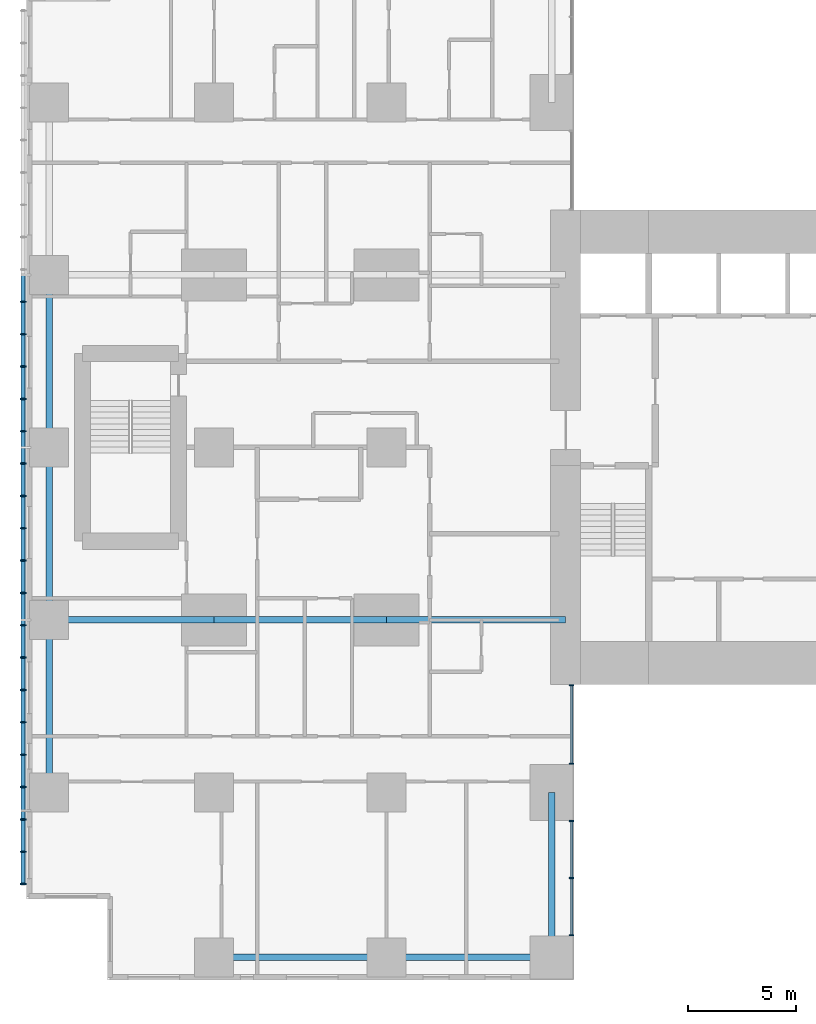
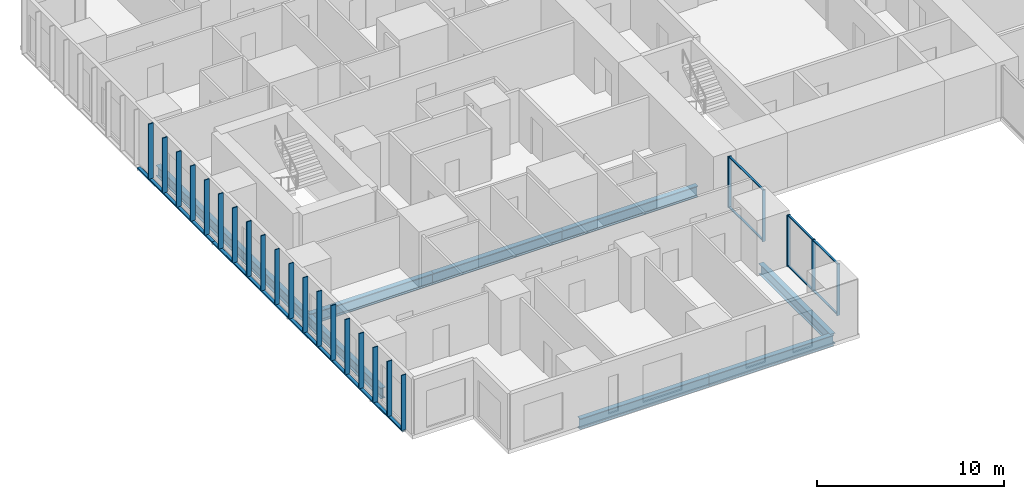
# One storey, part 2 of 20: 33 members, 9 beams, 2 elements without a shape of their own.
"""IFC4 building model written with IfcOpenShell, lengths in metres."""

from ifc_helpers import new_model, si_unit, direction, frame, origin, origin_2d, place, context, subcontext, project, spatial, rectangle, hollow_rectangle, i_section, extrude, material, layer, layer_set, material_profile, profile_set, type_object, element, aggregate, save


model = new_model("IFC4")

# Units and contexts
model_context = context("Model", 3, precision=1e-05, world=origin(), true_north=direction((0.0, 1.0)))
body_context = subcontext(model_context, "Body", "Model", "MODEL_VIEW")
ifc_project = project(units=[si_unit("LENGTHUNIT", "METRE"), si_unit("AREAUNIT", "SQUARE_METRE"), si_unit("VOLUMEUNIT", "CUBIC_METRE"), si_unit("PLANEANGLEUNIT", "RADIAN"), si_unit("MASSUNIT", "GRAM", prefix="KILO")], contexts=[model_context])

# Site, building, storey
site_placement = place(None, origin())
site = spatial("IfcSite", under=ifc_project, at=site_placement, CompositionType="ELEMENT")
building_placement = place(site_placement, origin())
building = spatial("IfcBuilding", under=site, at=building_placement, Name="Cleftline Residences", CompositionType="ELEMENT")
storey_placement = place(building_placement, frame((0.0, 0.0, 207.39990234375)))
storey = spatial("IfcBuildingStorey", under=building, at=storey_placement, Name="L54", CompositionType="ELEMENT", Elevation=207.39990234375)

# Members
ifc_material_1 = material(Name="Steel S355, hot-dip galvanised", Category="steel")
ifc_material_profile_1 = material_profile(ifc_material_1, hollow_rectangle(XDim=0.10009765625, YDim=0.199951171875, WallThickness=0.008056640625, InnerFilletRadius=0.008056640625, OuterFilletRadius=0.011962890625, at=origin_2d()))
ifc_profile_set_1 = profile_set([ifc_material_profile_1], Name="Steel S355, hot-dip galvanised")
member_type_1 = type_object("IfcMemberType", Name="BAGUETTE CARRIER RHS 200X100X8", PredefinedType="USERDEFINED", material=ifc_profile_set_1)
for number, where, z_axis, x_axis, name in (
    (1, (-0.85009765625, 32.0, -0.0498046875), (0.0, -1.0, 0.0), (0.0, 0.0, 1.0), "Baguette carrier"),
    (2, (-0.85009765625, 24.0, -0.0498046875), (0.0, -1.0, 0.0), (0.0, 0.0, 1.0), "Baguette carrier"),
):
    element("IfcMember", number, at=place(storey_placement, frame(where, z_axis=z_axis, x_axis=x_axis)), inside=storey, type_object=member_type_1, Name=name, ObjectType="BAGUETTE CARRIER", PredefinedType="USERDEFINED", context=body_context, shape_type="SweptSolid", body=[
        extrude(hollow_rectangle(XDim=0.10009765625, YDim=0.199951171875, WallThickness=0.008056640625, InnerFilletRadius=0.008056640625, OuterFilletRadius=0.011962890625, at=origin_2d()), origin(), (0.0, 0.0, 1.0), 8.0),
    ])
member_1_placement = place(storey_placement, frame((-0.85009765625, 16.0, -0.0498046875), z_axis=(0.0, -1.0, 0.0), x_axis=(0.0, 0.0, 1.0)))
element("IfcMember", 3, at=member_1_placement, inside=storey, type_object=member_type_1, Name="Baguette carrier", ObjectType="BAGUETTE CARRIER", PredefinedType="USERDEFINED", context=body_context, shape_type="SweptSolid", body=[
    extrude(hollow_rectangle(XDim=0.10009765625, YDim=0.199951171875, WallThickness=0.008056640625, InnerFilletRadius=0.008056640625, OuterFilletRadius=0.011962890625, at=origin_2d()), origin(), (0.0, 0.0, 1.0), 12.300048828125),
])

# Beams
ifc_material_2 = material(Name="Steel S355", Category="steel")
ifc_material_profile_2 = material_profile(ifc_material_2, i_section(OverallWidth=0.300048828125, OverallDepth=0.699951171875, WebThickness=0.01708984375, FlangeThickness=0.031982421875, FilletRadius=0.027099609375, at=origin_2d()))
ifc_profile_set_2 = profile_set([ifc_material_profile_2], Name="Steel S355")
beam_type_1 = type_object("IfcBeamType", Name="BEAM HEB 700", PredefinedType="BEAM", material=ifc_profile_set_2)
for number, where, z_axis, x_axis, name in (
    (4, (0.35009765625, 8.0, -0.599853515625), (0.0, 1.0, 0.0), (-1.0, 0.0, 0.0), "Edge beam"),
    (5, (0.35009765625, 16.0, -0.599853515625), (0.0, 1.0, 0.0), (-1.0, 0.0, 0.0), "Edge beam"),
    (6, (0.35009765625, 24.0, -0.599853515625), (0.0, 1.0, 0.0), (-1.0, 0.0, 0.0), "Edge beam"),
    (7, (8.0, 0.35009765625, -0.599853515625), (1.0, 0.0, 0.0), (0.0, 1.0, 0.0), "Edge beam"),
):
    element("IfcBeam", number, at=place(storey_placement, frame(where, z_axis=z_axis, x_axis=x_axis)), inside=storey, type_object=beam_type_1, Name=name, PredefinedType="BEAM", context=body_context, shape_type="SweptSolid", body=[
        extrude(i_section(OverallWidth=0.300048828125, OverallDepth=0.699951171875, WebThickness=0.01708984375, FlangeThickness=0.031982421875, FilletRadius=0.027099609375, at=origin_2d()), origin(), (0.0, 0.0, 1.0), 8.0),
    ])
for number, where, z_axis, x_axis, name in (
    (8, (16.0, 0.35009765625, -0.599853515625), (1.0, 0.0, 0.0), (0.0, 1.0, 0.0), "Edge beam"),
    (9, (23.64990234375, 0.35009765625, -0.599853515625), (0.0, 1.0, 0.0), (-1.0, 0.0, 0.0), "Edge beam"),
):
    element("IfcBeam", number, at=place(storey_placement, frame(where, z_axis=z_axis, x_axis=x_axis)), inside=storey, type_object=beam_type_1, Name=name, PredefinedType="BEAM", context=body_context, shape_type="SweptSolid", body=[
        extrude(i_section(OverallWidth=0.300048828125, OverallDepth=0.699951171875, WebThickness=0.01708984375, FlangeThickness=0.031982421875, FilletRadius=0.027099609375, at=origin_2d()), origin(), (0.0, 0.0, 1.0), 7.64990234375),
    ])
ifc_material_3 = material(Name="Steel S355", Category="steel")
ifc_material_profile_3 = material_profile(ifc_material_3, i_section(OverallWidth=0.303955078125, OverallDepth=0.716064453125, WebThickness=0.02099609375, FlangeThickness=0.0400390625, FilletRadius=0.027099609375, at=origin_2d()))
ifc_profile_set_3 = profile_set([ifc_material_profile_3], Name="Steel S355")
beam_type_2 = type_object("IfcBeamType", Name="BEAM HEM 700", PredefinedType="BEAM", material=ifc_profile_set_3)
beam_1_placement = place(storey_placement, frame((0.35009765625, 16.0, -0.60791015625), z_axis=(1.0, 0.0, 0.0), x_axis=(0.0, 1.0, 0.0)))
element("IfcBeam", 10, at=beam_1_placement, inside=storey, type_object=beam_type_2, Name="Band beam", PredefinedType="BEAM", context=body_context, shape_type="SweptSolid", body=[
    extrude(i_section(OverallWidth=0.303955078125, OverallDepth=0.716064453125, WebThickness=0.02099609375, FlangeThickness=0.0400390625, FilletRadius=0.027099609375, at=origin_2d()), origin(), (0.0, 0.0, 1.0), 7.64990234375),
])
beam_2_placement = place(storey_placement, frame((8.0, 16.0, -0.60791015625), z_axis=(1.0, 0.0, 0.0), x_axis=(0.0, 1.0, 0.0)))
element("IfcBeam", 11, at=beam_2_placement, inside=storey, type_object=beam_type_2, Name="Band beam", PredefinedType="BEAM", context=body_context, shape_type="SweptSolid", body=[
    extrude(i_section(OverallWidth=0.303955078125, OverallDepth=0.716064453125, WebThickness=0.02099609375, FlangeThickness=0.0400390625, FilletRadius=0.027099609375, at=origin_2d()), origin(), (0.0, 0.0, 1.0), 8.0),
])
beam_3_placement = place(storey_placement, frame((16.0, 16.0, -0.60791015625), z_axis=(1.0, 0.0, 0.0), x_axis=(0.0, 1.0, 0.0)))
element("IfcBeam", 12, at=beam_3_placement, inside=storey, type_object=beam_type_2, Name="Band beam", PredefinedType="BEAM", context=body_context, shape_type="SweptSolid", body=[
    extrude(i_section(OverallWidth=0.303955078125, OverallDepth=0.716064453125, WebThickness=0.02099609375, FlangeThickness=0.0400390625, FilletRadius=0.027099609375, at=origin_2d()), origin(), (0.0, 0.0, 1.0), 8.300048828125),
])

# Curtain wall, members
ifc_material_4 = material(Name="Aluminium framed curtain wall", Category="aluminium")
ifc_layer = layer(ifc_material_4, 0.199951171875)
ifc_layer_set = layer_set([ifc_layer], Name="CW1 CLEFT GLAZING")
curtain_wall_type = type_object("IfcCurtainWallType", Name="CW1 CLEFT GLAZING", PredefinedType="NOTDEFINED", material=ifc_layer_set)
curtain_wall_1_placement = place(storey_placement, origin())
curtain_wall_1 = element("IfcCurtainWall", 13, at=curtain_wall_1_placement, inside=storey, type_object=curtain_wall_type, Name="Curtain wall CW1", PredefinedType="NOTDEFINED")
ifc_material_5 = material(Name="Aluminium mullion", Category="aluminium")
ifc_material_profile_4 = material_profile(ifc_material_5, rectangle(XDim=0.199951171875, YDim=0.06005859375, at=origin_2d()))
ifc_profile_set_4 = profile_set([ifc_material_profile_4], Name="Aluminium mullion")
member_type_2 = type_object("IfcMemberType", Name="CW1 MULLION", PredefinedType="MULLION", material=ifc_profile_set_4)
member_2_placement = place(storey_placement, frame((24.574951171875, 1.3798828125, 0.0), z_axis=(0.0, 0.0, 1.0), x_axis=(-1.0, 0.0, 0.0)))
member_2 = element("IfcMember", 14, at=member_2_placement, type_object=member_type_2, Name="CW1 mullion 1", PredefinedType="MULLION", context=body_context, shape_type="SweptSolid", body=[
    extrude(rectangle(XDim=0.199951171875, YDim=0.06005859375, at=origin_2d()), origin(), (0.0, 0.0, 1.0), 3.35009765625),
])
member_3_placement = place(storey_placement, frame((24.574951171875, 4.02490234375, 0.0), z_axis=(0.0, 0.0, 1.0), x_axis=(-1.0, 0.0, 0.0)))
member_3 = element("IfcMember", 15, at=member_3_placement, type_object=member_type_2, Name="CW1 mullion 2", PredefinedType="MULLION", context=body_context, shape_type="SweptSolid", body=[
    extrude(rectangle(XDim=0.199951171875, YDim=0.06005859375, at=origin_2d()), origin(), (0.0, 0.0, 1.0), 3.35009765625),
])
member_4_placement = place(storey_placement, frame((24.574951171875, 6.669921875, 0.0), z_axis=(0.0, 0.0, 1.0), x_axis=(-1.0, 0.0, 0.0)))
member_4 = element("IfcMember", 16, at=member_4_placement, type_object=member_type_2, Name="CW1 mullion 3", PredefinedType="MULLION", context=body_context, shape_type="SweptSolid", body=[
    extrude(rectangle(XDim=0.199951171875, YDim=0.06005859375, at=origin_2d()), origin(), (0.0, 0.0, 1.0), 3.35009765625),
])

curtain_wall_2_placement = place(storey_placement, origin())
curtain_wall_2 = element("IfcCurtainWall", 17, at=curtain_wall_2_placement, inside=storey, type_object=curtain_wall_type, Name="Curtain wall CW1", PredefinedType="NOTDEFINED")
member_5_placement = place(storey_placement, frame((24.574951171875, 9.330078125, 0.0), z_axis=(0.0, 0.0, 1.0), x_axis=(-1.0, 0.0, 0.0)))
member_5 = element("IfcMember", 18, at=member_5_placement, type_object=member_type_2, Name="CW1 mullion 1", PredefinedType="MULLION", context=body_context, shape_type="SweptSolid", body=[
    extrude(rectangle(XDim=0.199951171875, YDim=0.06005859375, at=origin_2d()), origin(), (0.0, 0.0, 1.0), 3.35009765625),
])
member_6_placement = place(storey_placement, frame((24.574951171875, 12.969970703125, 0.0), z_axis=(0.0, 0.0, 1.0), x_axis=(-1.0, 0.0, 0.0)))
member_6 = element("IfcMember", 19, at=member_6_placement, type_object=member_type_2, Name="CW1 mullion 2", PredefinedType="MULLION", context=body_context, shape_type="SweptSolid", body=[
    extrude(rectangle(XDim=0.199951171875, YDim=0.06005859375, at=origin_2d()), origin(), (0.0, 0.0, 1.0), 3.35009765625),
])

# Member
ifc_material_6 = material(Name="Aluminium transom", Category="aluminium")
ifc_material_profile_5 = material_profile(ifc_material_6, rectangle(XDim=0.1201171875, YDim=0.06005859375, at=origin_2d()))
ifc_profile_set_5 = profile_set([ifc_material_profile_5], Name="Aluminium transom")
member_type_3 = type_object("IfcMemberType", Name="CW1 TRANSOM", PredefinedType="USERDEFINED", material=ifc_profile_set_5)
member_7_placement = place(storey_placement, frame((24.574951171875, 1.409912109375, 0.030029296875), z_axis=(0.0, 1.0, 0.0), x_axis=(-1.0, 0.0, 0.0)))
member_7 = element("IfcMember", 20, at=member_7_placement, type_object=member_type_3, Name="CW1 transom 1.1", ObjectType="TRANSOM", PredefinedType="USERDEFINED", context=body_context, shape_type="SweptSolid", body=[
    extrude(rectangle(XDim=0.1201171875, YDim=0.06005859375, at=origin_2d()), origin(), (0.0, 0.0, 1.0), 2.585205078125),
])

member_8_placement = place(storey_placement, frame((24.574951171875, 1.409912109375, 3.320068359375), z_axis=(0.0, 1.0, 0.0), x_axis=(-1.0, 0.0, 0.0)))
member_8 = element("IfcMember", 21, at=member_8_placement, type_object=member_type_3, Name="CW1 transom 1.2", ObjectType="TRANSOM", PredefinedType="USERDEFINED", context=body_context, shape_type="SweptSolid", body=[
    extrude(rectangle(XDim=0.1201171875, YDim=0.06005859375, at=origin_2d()), origin(), (0.0, 0.0, 1.0), 2.585205078125),
])

member_9_placement = place(storey_placement, frame((24.574951171875, 4.054931640625, 0.030029296875), z_axis=(0.0, 1.0, 0.0), x_axis=(-1.0, 0.0, 0.0)))
member_9 = element("IfcMember", 22, at=member_9_placement, type_object=member_type_3, Name="CW1 transom 2.1", ObjectType="TRANSOM", PredefinedType="USERDEFINED", context=body_context, shape_type="SweptSolid", body=[
    extrude(rectangle(XDim=0.1201171875, YDim=0.06005859375, at=origin_2d()), origin(), (0.0, 0.0, 1.0), 2.5849609375),
])

member_10_placement = place(storey_placement, frame((24.574951171875, 4.054931640625, 3.320068359375), z_axis=(0.0, 1.0, 0.0), x_axis=(-1.0, 0.0, 0.0)))
member_10 = element("IfcMember", 23, at=member_10_placement, type_object=member_type_3, Name="CW1 transom 2.2", ObjectType="TRANSOM", PredefinedType="USERDEFINED", context=body_context, shape_type="SweptSolid", body=[
    extrude(rectangle(XDim=0.1201171875, YDim=0.06005859375, at=origin_2d()), origin(), (0.0, 0.0, 1.0), 2.5849609375),
])

aggregate(curtain_wall_1, [member_2, member_3, member_4, member_7, member_8, member_9, member_10])

member_11_placement = place(storey_placement, frame((24.574951171875, 9.360107421875, 0.030029296875), z_axis=(0.0, 1.0, 0.0), x_axis=(-1.0, 0.0, 0.0)))
member_11 = element("IfcMember", 24, at=member_11_placement, type_object=member_type_3, Name="CW1 transom 1.1", ObjectType="TRANSOM", PredefinedType="USERDEFINED", context=body_context, shape_type="SweptSolid", body=[
    extrude(rectangle(XDim=0.1201171875, YDim=0.06005859375, at=origin_2d()), origin(), (0.0, 0.0, 1.0), 3.579833984375),
])

member_12_placement = place(storey_placement, frame((24.574951171875, 9.360107421875, 3.320068359375), z_axis=(0.0, 1.0, 0.0), x_axis=(-1.0, 0.0, 0.0)))
member_12 = element("IfcMember", 25, at=member_12_placement, type_object=member_type_3, Name="CW1 transom 1.2", ObjectType="TRANSOM", PredefinedType="USERDEFINED", context=body_context, shape_type="SweptSolid", body=[
    extrude(rectangle(XDim=0.1201171875, YDim=0.06005859375, at=origin_2d()), origin(), (0.0, 0.0, 1.0), 3.579833984375),
])

aggregate(curtain_wall_2, [member_5, member_6, member_11, member_12])

# Members
ifc_material_7 = material(Name="Extruded terracotta", Category="masonry")
ifc_material_profile_6 = material_profile(ifc_material_7, rectangle(XDim=0.06005859375, YDim=0.300048828125, at=origin_2d()))
ifc_profile_set_6 = profile_set([ifc_material_profile_6], Name="Extruded terracotta")
member_type_4 = type_object("IfcMemberType", Name="TERRACOTTA BAGUETTE 60X300", PredefinedType="USERDEFINED", material=ifc_profile_set_6)
for number, where, z_axis, x_axis, name in (
    (26, (-0.85009765625, 30.75, 0.0), (0.0, 0.0, 1.0), (0.0, 1.0, 0.0), "Terracotta baguette"),
    (27, (-0.85009765625, 29.25, 0.0), (0.0, 0.0, 1.0), (0.0, 1.0, 0.0), "Terracotta baguette"),
    (28, (-0.85009765625, 27.75, 0.0), (0.0, 0.0, 1.0), (0.0, 1.0, 0.0), "Terracotta baguette"),
    (29, (-0.85009765625, 26.25, 0.0), (0.0, 0.0, 1.0), (0.0, 1.0, 0.0), "Terracotta baguette"),
    (30, (-0.85009765625, 24.75, 0.0), (0.0, 0.0, 1.0), (0.0, 1.0, 0.0), "Terracotta baguette"),
    (31, (-0.85009765625, 23.25, 0.0), (0.0, 0.0, 1.0), (0.0, 1.0, 0.0), "Terracotta baguette"),
    (32, (-0.85009765625, 21.75, 0.0), (0.0, 0.0, 1.0), (0.0, 1.0, 0.0), "Terracotta baguette"),
    (33, (-0.85009765625, 20.25, 0.0), (0.0, 0.0, 1.0), (0.0, 1.0, 0.0), "Terracotta baguette"),
    (34, (-0.85009765625, 18.75, 0.0), (0.0, 0.0, 1.0), (0.0, 1.0, 0.0), "Terracotta baguette"),
    (35, (-0.85009765625, 17.25, 0.0), (0.0, 0.0, 1.0), (0.0, 1.0, 0.0), "Terracotta baguette"),
    (36, (-0.85009765625, 15.75, 0.0), (0.0, 0.0, 1.0), (0.0, 1.0, 0.0), "Terracotta baguette"),
    (37, (-0.85009765625, 14.25, 0.0), (0.0, 0.0, 1.0), (0.0, 1.0, 0.0), "Terracotta baguette"),
    (38, (-0.85009765625, 12.75, 0.0), (0.0, 0.0, 1.0), (0.0, 1.0, 0.0), "Terracotta baguette"),
    (39, (-0.85009765625, 11.25, 0.0), (0.0, 0.0, 1.0), (0.0, 1.0, 0.0), "Terracotta baguette"),
    (40, (-0.85009765625, 9.75, 0.0), (0.0, 0.0, 1.0), (0.0, 1.0, 0.0), "Terracotta baguette"),
    (41, (-0.85009765625, 8.25, 0.0), (0.0, 0.0, 1.0), (0.0, 1.0, 0.0), "Terracotta baguette"),
    (42, (-0.85009765625, 6.75, 0.0), (0.0, 0.0, 1.0), (0.0, 1.0, 0.0), "Terracotta baguette"),
    (43, (-0.85009765625, 5.25, 0.0), (0.0, 0.0, 1.0), (0.0, 1.0, 0.0), "Terracotta baguette"),
    (44, (-0.85009765625, 3.75, 0.0), (0.0, 0.0, 1.0), (0.0, 1.0, 0.0), "Terracotta baguette"),
):
    element("IfcMember", number, at=place(storey_placement, frame(where, z_axis=z_axis, x_axis=x_axis)), inside=storey, type_object=member_type_4, Name=name, ObjectType="BAGUETTE", PredefinedType="USERDEFINED", context=body_context, shape_type="SweptSolid", body=[
        extrude(rectangle(XDim=0.06005859375, YDim=0.300048828125, at=origin_2d()), origin(), (0.0, 0.0, 1.0), 3.60009765625),
    ])

save(model, "model.ifc")
